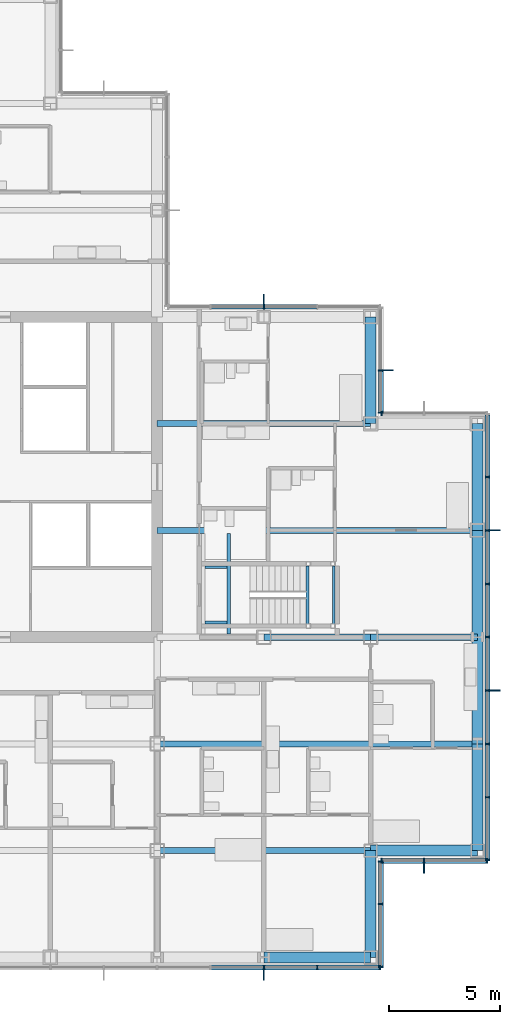
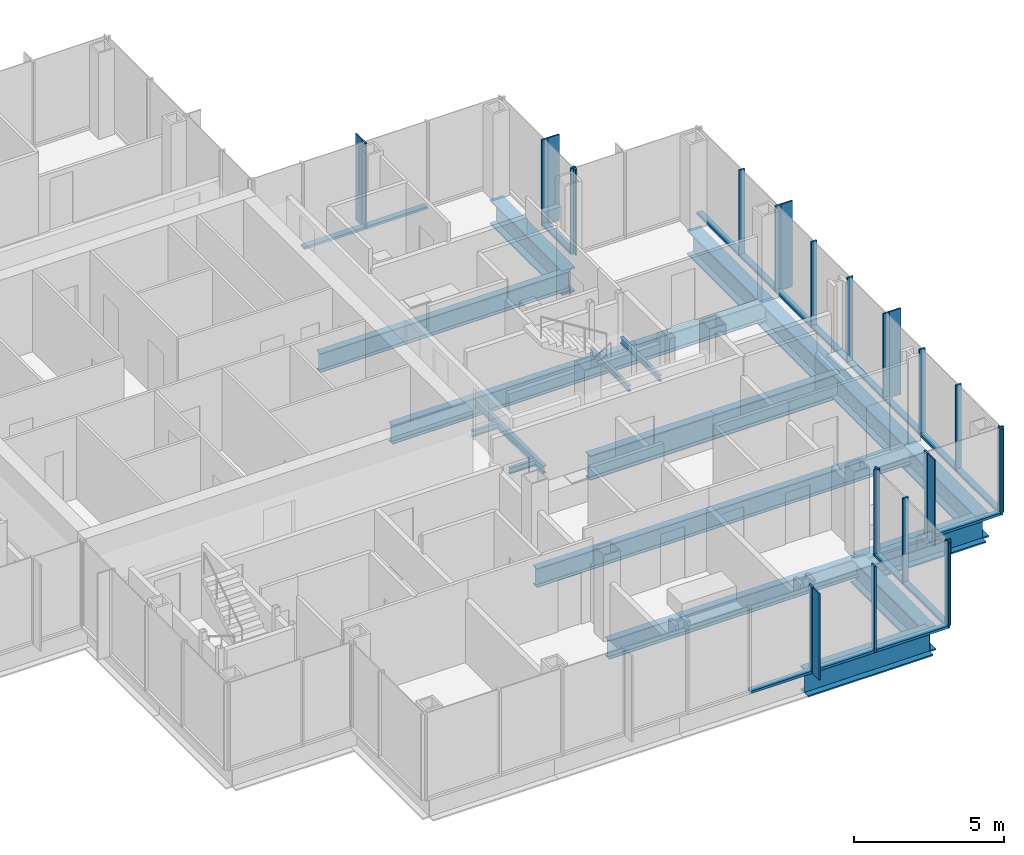
# One storey, part 8 of 20: 45 members, 19 beams, 7 elements without a shape of their own.
"""IFC4 building model written with IfcOpenShell, lengths in metres."""

from ifc_helpers import new_model, si_unit, direction, frame, origin, origin_2d, place, context, subcontext, project, spatial, rectangle, i_section, extrude, material, material_profile, profile_set, type_object, element, aggregate, save


model = new_model("IFC4")

# Units and contexts
model_context = context("Model", 3, precision=1e-05, world=origin(), true_north=direction((0.0, 1.0)))
body_context = subcontext(model_context, "Body", "Model", "MODEL_VIEW")
ifc_project = project(units=[si_unit("LENGTHUNIT", "METRE"), si_unit("AREAUNIT", "SQUARE_METRE"), si_unit("VOLUMEUNIT", "CUBIC_METRE"), si_unit("PLANEANGLEUNIT", "RADIAN"), si_unit("MASSUNIT", "GRAM", prefix="KILO")], contexts=[model_context])

# Site, building, storey
site_placement = place(None, origin())
site = spatial("IfcSite", under=ifc_project, at=site_placement, CompositionType="ELEMENT")
building_placement = place(site_placement, origin())
building = spatial("IfcBuilding", under=site, at=building_placement, Name="Kvirike Care Tower", CompositionType="ELEMENT")
storey_placement = place(building_placement, frame((0.0, 0.0, 105.0)))
storey = spatial("IfcBuildingStorey", under=building, at=storey_placement, Name="L28", CompositionType="ELEMENT", Elevation=105.0)

# Curtain wall, members
ifc_material_1 = material(Name="Anodised aluminium stick system", Category="aluminium")
curtain_wall_type = type_object("IfcCurtainWallType", Name="CW-B STICK CURTAIN WALL", PredefinedType="NOTDEFINED", material=ifc_material_1)
curtain_wall_1_placement = place(storey_placement, origin())
curtain_wall_1 = element("IfcCurtainWall", 1, at=curtain_wall_1_placement, inside=storey, type_object=curtain_wall_type, Name="Curtain wall L28 face 1", PredefinedType="NOTDEFINED")
ifc_material_2 = material(Name="Bronze anodised aluminium fin", Category="aluminium")
ifc_material_profile_1 = material_profile(ifc_material_2, rectangle(XDim=0.050048828125, YDim=0.449951171875, at=origin_2d()), Name="BRONZE FIN 450")
ifc_profile_set_1 = profile_set([ifc_material_profile_1], Name="Bronze anodised aluminium fin")
member_type_1 = type_object("IfcMemberType", Name="BRONZE FIN 450", PredefinedType="USERDEFINED", material=ifc_profile_set_1)
member_1_placement = place(storey_placement, frame((43.9951171875, 26.39990234375, 0.0), z_axis=(0.0, 0.0, 1.0), x_axis=(0.0, 1.0, 0.0)))
member_1 = element("IfcMember", 2, at=member_1_placement, type_object=member_type_1, Name="Bronze fin L28 face 1.4", ObjectType="FIN", PredefinedType="USERDEFINED", context=body_context, shape_type="SweptSolid", body=[
    extrude(rectangle(XDim=0.050048828125, YDim=0.449951171875, at=origin_2d()), origin(), (0.0, 0.0, 1.0), 3.5),
])
member_2_placement = place(storey_placement, frame((43.9951171875, 33.60009765625, 0.0), z_axis=(0.0, 0.0, 1.0), x_axis=(0.0, 1.0, 0.0)))
member_2 = element("IfcMember", 3, at=member_2_placement, type_object=member_type_1, Name="Bronze fin L28 face 1.7", ObjectType="FIN", PredefinedType="USERDEFINED", context=body_context, shape_type="SweptSolid", body=[
    extrude(rectangle(XDim=0.050048828125, YDim=0.449951171875, at=origin_2d()), origin(), (0.0, 0.0, 1.0), 3.5),
])

# Curtain wall, member
curtain_wall_2_placement = place(storey_placement, origin())
curtain_wall_2 = element("IfcCurtainWall", 4, at=curtain_wall_2_placement, inside=storey, type_object=curtain_wall_type, Name="Curtain wall L28 face 3", PredefinedType="NOTDEFINED")
member_3_placement = place(storey_placement, frame((39.195068359375, 40.800048828125, 0.0), z_axis=(0.0, 0.0, 1.0), x_axis=(0.0, 1.0, 0.0)))
member_3 = element("IfcMember", 5, at=member_3_placement, type_object=member_type_1, Name="Bronze fin L28 face 3.2", ObjectType="FIN", PredefinedType="USERDEFINED", context=body_context, shape_type="SweptSolid", body=[
    extrude(rectangle(XDim=0.050048828125, YDim=0.449951171875, at=origin_2d()), origin(), (0.0, 0.0, 1.0), 3.5),
])

curtain_wall_3_placement = place(storey_placement, origin())
curtain_wall_3 = element("IfcCurtainWall", 6, at=curtain_wall_3_placement, inside=storey, type_object=curtain_wall_type, Name="Curtain wall L28 face 4", PredefinedType="NOTDEFINED")
member_4_placement = place(storey_placement, frame((33.60009765625, 43.9951171875, 0.0), z_axis=(0.0, 0.0, 1.0), x_axis=(-1.0, 0.0, 0.0)))
member_4 = element("IfcMember", 7, at=member_4_placement, type_object=member_type_1, Name="Bronze fin L28 face 4.3", ObjectType="FIN", PredefinedType="USERDEFINED", context=body_context, shape_type="SweptSolid", body=[
    extrude(rectangle(XDim=0.050048828125, YDim=0.449951171875, at=origin_2d()), origin(), (0.0, 0.0, 1.0), 3.5),
])

curtain_wall_4_placement = place(storey_placement, origin())
curtain_wall_4 = element("IfcCurtainWall", 8, at=curtain_wall_4_placement, inside=storey, type_object=curtain_wall_type, Name="Curtain wall L28 face 18", PredefinedType="NOTDEFINED")
member_5_placement = place(storey_placement, frame((33.60009765625, 13.60498046875, 0.0), z_axis=(0.0, 0.0, 1.0), x_axis=(1.0, 0.0, 0.0)))
member_5 = element("IfcMember", 9, at=member_5_placement, type_object=member_type_1, Name="Bronze fin L28 face 18.7", ObjectType="FIN", PredefinedType="USERDEFINED", context=body_context, shape_type="SweptSolid", body=[
    extrude(rectangle(XDim=0.050048828125, YDim=0.449951171875, at=origin_2d()), origin(), (0.0, 0.0, 1.0), 3.5),
])

curtain_wall_5_placement = place(storey_placement, origin())
curtain_wall_5 = element("IfcCurtainWall", 10, at=curtain_wall_5_placement, inside=storey, type_object=curtain_wall_type, Name="Curtain wall L28 face 20", PredefinedType="NOTDEFINED")
member_6_placement = place(storey_placement, frame((40.800048828125, 18.405029296875, 0.0), z_axis=(0.0, 0.0, 1.0), x_axis=(1.0, 0.0, 0.0)))
member_6 = element("IfcMember", 11, at=member_6_placement, type_object=member_type_1, Name="Bronze fin L28 face 20.2", ObjectType="FIN", PredefinedType="USERDEFINED", context=body_context, shape_type="SweptSolid", body=[
    extrude(rectangle(XDim=0.050048828125, YDim=0.449951171875, at=origin_2d()), origin(), (0.0, 0.0, 1.0), 3.5),
])

# Member
ifc_material_3 = material(Name="Bronze anodised aluminium mullion", Category="aluminium")
ifc_material_profile_2 = material_profile(ifc_material_3, rectangle(XDim=0.06494140625, YDim=0.219970703125, at=origin_2d()), Name="CW-B MULLION 65x220")
ifc_profile_set_2 = profile_set([ifc_material_profile_2], Name="Bronze anodised aluminium mullion")
member_type_2 = type_object("IfcMemberType", Name="CW-B MULLION 65x220", PredefinedType="MULLION", material=ifc_profile_set_2)
member_7_placement = place(storey_placement, frame((43.659912109375, 18.7724609375, 0.0), z_axis=(0.0, 0.0, 1.0), x_axis=(0.0, 1.0, 0.0)))
member_7 = element("IfcMember", 12, at=member_7_placement, type_object=member_type_2, Name="CW-B mullion L28 face 1.1", PredefinedType="MULLION", context=body_context, shape_type="SweptSolid", body=[
    extrude(rectangle(XDim=0.06494140625, YDim=0.219970703125, at=origin_2d()), origin(), (0.0, 0.0, 1.0), 3.5),
])

member_8_placement = place(storey_placement, frame((43.659912109375, 21.60009765625, 0.0), z_axis=(0.0, 0.0, 1.0), x_axis=(0.0, 1.0, 0.0)))
member_8 = element("IfcMember", 13, at=member_8_placement, type_object=member_type_2, Name="CW-B mullion L28 face 1.2", PredefinedType="MULLION", context=body_context, shape_type="SweptSolid", body=[
    extrude(rectangle(XDim=0.06494140625, YDim=0.219970703125, at=origin_2d()), origin(), (0.0, 0.0, 1.0), 3.5),
])

member_9_placement = place(storey_placement, frame((43.659912109375, 24.0, 0.0), z_axis=(0.0, 0.0, 1.0), x_axis=(0.0, 1.0, 0.0)))
member_9 = element("IfcMember", 14, at=member_9_placement, type_object=member_type_2, Name="CW-B mullion L28 face 1.3", PredefinedType="MULLION", context=body_context, shape_type="SweptSolid", body=[
    extrude(rectangle(XDim=0.06494140625, YDim=0.219970703125, at=origin_2d()), origin(), (0.0, 0.0, 1.0), 3.5),
])

member_10_placement = place(storey_placement, frame((43.659912109375, 26.39990234375, 0.0), z_axis=(0.0, 0.0, 1.0), x_axis=(0.0, 1.0, 0.0)))
member_10 = element("IfcMember", 15, at=member_10_placement, type_object=member_type_2, Name="CW-B mullion L28 face 1.4", PredefinedType="MULLION", context=body_context, shape_type="SweptSolid", body=[
    extrude(rectangle(XDim=0.06494140625, YDim=0.219970703125, at=origin_2d()), origin(), (0.0, 0.0, 1.0), 3.5),
])

member_11_placement = place(storey_placement, frame((43.659912109375, 28.800048828125, 0.0), z_axis=(0.0, 0.0, 1.0), x_axis=(0.0, 1.0, 0.0)))
member_11 = element("IfcMember", 16, at=member_11_placement, type_object=member_type_2, Name="CW-B mullion L28 face 1.5", PredefinedType="MULLION", context=body_context, shape_type="SweptSolid", body=[
    extrude(rectangle(XDim=0.06494140625, YDim=0.219970703125, at=origin_2d()), origin(), (0.0, 0.0, 1.0), 3.5),
])

member_12_placement = place(storey_placement, frame((43.659912109375, 31.199951171875, 0.0), z_axis=(0.0, 0.0, 1.0), x_axis=(0.0, 1.0, 0.0)))
member_12 = element("IfcMember", 17, at=member_12_placement, type_object=member_type_2, Name="CW-B mullion L28 face 1.6", PredefinedType="MULLION", context=body_context, shape_type="SweptSolid", body=[
    extrude(rectangle(XDim=0.06494140625, YDim=0.219970703125, at=origin_2d()), origin(), (0.0, 0.0, 1.0), 3.5),
])

member_13_placement = place(storey_placement, frame((43.659912109375, 33.60009765625, 0.0), z_axis=(0.0, 0.0, 1.0), x_axis=(0.0, 1.0, 0.0)))
member_13 = element("IfcMember", 18, at=member_13_placement, type_object=member_type_2, Name="CW-B mullion L28 face 1.7", PredefinedType="MULLION", context=body_context, shape_type="SweptSolid", body=[
    extrude(rectangle(XDim=0.06494140625, YDim=0.219970703125, at=origin_2d()), origin(), (0.0, 0.0, 1.0), 3.5),
])

member_14_placement = place(storey_placement, frame((43.659912109375, 36.0, 0.0), z_axis=(0.0, 0.0, 1.0), x_axis=(0.0, 1.0, 0.0)))
member_14 = element("IfcMember", 19, at=member_14_placement, type_object=member_type_2, Name="CW-B mullion L28 face 1.8", PredefinedType="MULLION", context=body_context, shape_type="SweptSolid", body=[
    extrude(rectangle(XDim=0.06494140625, YDim=0.219970703125, at=origin_2d()), origin(), (0.0, 0.0, 1.0), 3.5),
])

# Curtain wall, member
curtain_wall_6_placement = place(storey_placement, origin())
curtain_wall_6 = element("IfcCurtainWall", 20, at=curtain_wall_6_placement, inside=storey, type_object=curtain_wall_type, Name="Curtain wall L28 face 2", PredefinedType="NOTDEFINED")
member_15_placement = place(storey_placement, frame((38.892578125, 38.860107421875, 0.0), z_axis=(0.0, 0.0, 1.0), x_axis=(-1.0, 0.0, 0.0)))
member_15 = element("IfcMember", 21, at=member_15_placement, type_object=member_type_2, Name="CW-B mullion L28 face 2.3", PredefinedType="MULLION", context=body_context, shape_type="SweptSolid", body=[
    extrude(rectangle(XDim=0.06494140625, YDim=0.219970703125, at=origin_2d()), origin(), (0.0, 0.0, 1.0), 3.5),
])
aggregate(curtain_wall_6, [member_15])

# Member
member_16_placement = place(storey_placement, frame((38.860107421875, 38.892578125, 0.0), z_axis=(0.0, 0.0, 1.0), x_axis=(0.0, 1.0, 0.0)))
member_16 = element("IfcMember", 22, at=member_16_placement, type_object=member_type_2, Name="CW-B mullion L28 face 3.1", PredefinedType="MULLION", context=body_context, shape_type="SweptSolid", body=[
    extrude(rectangle(XDim=0.06494140625, YDim=0.219970703125, at=origin_2d()), origin(), (0.0, 0.0, 1.0), 3.5),
])

member_17_placement = place(storey_placement, frame((38.860107421875, 40.800048828125, 0.0), z_axis=(0.0, 0.0, 1.0), x_axis=(0.0, 1.0, 0.0)))
member_17 = element("IfcMember", 23, at=member_17_placement, type_object=member_type_2, Name="CW-B mullion L28 face 3.2", PredefinedType="MULLION", context=body_context, shape_type="SweptSolid", body=[
    extrude(rectangle(XDim=0.06494140625, YDim=0.219970703125, at=origin_2d()), origin(), (0.0, 0.0, 1.0), 3.5),
])

member_18_placement = place(storey_placement, frame((33.60009765625, 43.659912109375, 0.0), z_axis=(0.0, 0.0, 1.0), x_axis=(-1.0, 0.0, 0.0)))
member_18 = element("IfcMember", 24, at=member_18_placement, type_object=member_type_2, Name="CW-B mullion L28 face 4.3", PredefinedType="MULLION", context=body_context, shape_type="SweptSolid", body=[
    extrude(rectangle(XDim=0.06494140625, YDim=0.219970703125, at=origin_2d()), origin(), (0.0, 0.0, 1.0), 3.5),
])

member_19_placement = place(storey_placement, frame((33.60009765625, 13.93994140625, 0.0), z_axis=(0.0, 0.0, 1.0), x_axis=(1.0, 0.0, 0.0)))
member_19 = element("IfcMember", 25, at=member_19_placement, type_object=member_type_2, Name="CW-B mullion L28 face 18.7", PredefinedType="MULLION", context=body_context, shape_type="SweptSolid", body=[
    extrude(rectangle(XDim=0.06494140625, YDim=0.219970703125, at=origin_2d()), origin(), (0.0, 0.0, 1.0), 3.5),
])

member_20_placement = place(storey_placement, frame((36.0, 13.93994140625, 0.0), z_axis=(0.0, 0.0, 1.0), x_axis=(1.0, 0.0, 0.0)))
member_20 = element("IfcMember", 26, at=member_20_placement, type_object=member_type_2, Name="CW-B mullion L28 face 18.8", PredefinedType="MULLION", context=body_context, shape_type="SweptSolid", body=[
    extrude(rectangle(XDim=0.06494140625, YDim=0.219970703125, at=origin_2d()), origin(), (0.0, 0.0, 1.0), 3.5),
])

member_21_placement = place(storey_placement, frame((38.827392578125, 13.93994140625, 0.0), z_axis=(0.0, 0.0, 1.0), x_axis=(1.0, 0.0, 0.0)))
member_21 = element("IfcMember", 27, at=member_21_placement, type_object=member_type_2, Name="CW-B mullion L28 face 18.9", PredefinedType="MULLION", context=body_context, shape_type="SweptSolid", body=[
    extrude(rectangle(XDim=0.06494140625, YDim=0.219970703125, at=origin_2d()), origin(), (0.0, 0.0, 1.0), 3.5),
])

# Curtain wall, members
curtain_wall_7_placement = place(storey_placement, origin())
curtain_wall_7 = element("IfcCurtainWall", 28, at=curtain_wall_7_placement, inside=storey, type_object=curtain_wall_type, Name="Curtain wall L28 face 19", PredefinedType="NOTDEFINED")
member_22_placement = place(storey_placement, frame((38.860107421875, 13.972412109375, 0.0), z_axis=(0.0, 0.0, 1.0), x_axis=(0.0, 1.0, 0.0)))
member_22 = element("IfcMember", 29, at=member_22_placement, type_object=member_type_2, Name="CW-B mullion L28 face 19.1", PredefinedType="MULLION", context=body_context, shape_type="SweptSolid", body=[
    extrude(rectangle(XDim=0.06494140625, YDim=0.219970703125, at=origin_2d()), origin(), (0.0, 0.0, 1.0), 3.5),
])
member_23_placement = place(storey_placement, frame((38.860107421875, 16.800048828125, 0.0), z_axis=(0.0, 0.0, 1.0), x_axis=(0.0, 1.0, 0.0)))
member_23 = element("IfcMember", 30, at=member_23_placement, type_object=member_type_2, Name="CW-B mullion L28 face 19.2", PredefinedType="MULLION", context=body_context, shape_type="SweptSolid", body=[
    extrude(rectangle(XDim=0.06494140625, YDim=0.219970703125, at=origin_2d()), origin(), (0.0, 0.0, 1.0), 3.5),
])
member_24_placement = place(storey_placement, frame((38.860107421875, 18.70751953125, 0.0), z_axis=(0.0, 0.0, 1.0), x_axis=(0.0, 1.0, 0.0)))
member_24 = element("IfcMember", 31, at=member_24_placement, type_object=member_type_2, Name="CW-B mullion L28 face 19.3", PredefinedType="MULLION", context=body_context, shape_type="SweptSolid", body=[
    extrude(rectangle(XDim=0.06494140625, YDim=0.219970703125, at=origin_2d()), origin(), (0.0, 0.0, 1.0), 3.5),
])

# Member
member_25_placement = place(storey_placement, frame((38.892578125, 18.739990234375, 0.0), z_axis=(0.0, 0.0, 1.0), x_axis=(1.0, 0.0, 0.0)))
member_25 = element("IfcMember", 32, at=member_25_placement, type_object=member_type_2, Name="CW-B mullion L28 face 20.1", PredefinedType="MULLION", context=body_context, shape_type="SweptSolid", body=[
    extrude(rectangle(XDim=0.06494140625, YDim=0.219970703125, at=origin_2d()), origin(), (0.0, 0.0, 1.0), 3.5),
])

member_26_placement = place(storey_placement, frame((40.800048828125, 18.739990234375, 0.0), z_axis=(0.0, 0.0, 1.0), x_axis=(1.0, 0.0, 0.0)))
member_26 = element("IfcMember", 33, at=member_26_placement, type_object=member_type_2, Name="CW-B mullion L28 face 20.2", PredefinedType="MULLION", context=body_context, shape_type="SweptSolid", body=[
    extrude(rectangle(XDim=0.06494140625, YDim=0.219970703125, at=origin_2d()), origin(), (0.0, 0.0, 1.0), 3.5),
])

member_27_placement = place(storey_placement, frame((43.62744140625, 18.739990234375, 0.0), z_axis=(0.0, 0.0, 1.0), x_axis=(1.0, 0.0, 0.0)))
member_27 = element("IfcMember", 34, at=member_27_placement, type_object=member_type_2, Name="CW-B mullion L28 face 20.3", PredefinedType="MULLION", context=body_context, shape_type="SweptSolid", body=[
    extrude(rectangle(XDim=0.06494140625, YDim=0.219970703125, at=origin_2d()), origin(), (0.0, 0.0, 1.0), 3.5),
])

ifc_material_4 = material(Name="Bronze anodised aluminium transom", Category="aluminium")
ifc_material_profile_3 = material_profile(ifc_material_4, rectangle(XDim=0.219970703125, YDim=0.10009765625, at=origin_2d()), Name="CW-B TRANSOM 220x100")
ifc_profile_set_3 = profile_set([ifc_material_profile_3], Name="Bronze anodised aluminium transom")
member_type_3 = type_object("IfcMemberType", Name="CW-B TRANSOM 220x100", PredefinedType="USERDEFINED", material=ifc_profile_set_3)
member_28_placement = place(storey_placement, frame((43.659912109375, 18.804931640625, 0.050048828125), z_axis=(0.0, 1.0, 0.0), x_axis=(-1.0, 0.0, 0.0)))
member_28 = element("IfcMember", 35, at=member_28_placement, type_object=member_type_3, Name="CW-B sill transom L28 face 1.1", ObjectType="TRANSOM", PredefinedType="USERDEFINED", context=body_context, shape_type="SweptSolid", body=[
    extrude(rectangle(XDim=0.219970703125, YDim=0.10009765625, at=origin_2d()), origin(), (0.0, 0.0, 1.0), 2.762451171875),
])

member_29_placement = place(storey_placement, frame((43.659912109375, 21.632568359375, 0.050048828125), z_axis=(0.0, 1.0, 0.0), x_axis=(-1.0, 0.0, 0.0)))
member_29 = element("IfcMember", 36, at=member_29_placement, type_object=member_type_3, Name="CW-B sill transom L28 face 1.2", ObjectType="TRANSOM", PredefinedType="USERDEFINED", context=body_context, shape_type="SweptSolid", body=[
    extrude(rectangle(XDim=0.219970703125, YDim=0.10009765625, at=origin_2d()), origin(), (0.0, 0.0, 1.0), 2.3349609375),
])

member_30_placement = place(storey_placement, frame((43.659912109375, 24.032470703125, 0.050048828125), z_axis=(0.0, 1.0, 0.0), x_axis=(-1.0, 0.0, 0.0)))
member_30 = element("IfcMember", 37, at=member_30_placement, type_object=member_type_3, Name="CW-B sill transom L28 face 1.3", ObjectType="TRANSOM", PredefinedType="USERDEFINED", context=body_context, shape_type="SweptSolid", body=[
    extrude(rectangle(XDim=0.219970703125, YDim=0.10009765625, at=origin_2d()), origin(), (0.0, 0.0, 1.0), 2.3349609375),
])

member_31_placement = place(storey_placement, frame((43.659912109375, 26.4326171875, 0.050048828125), z_axis=(0.0, 1.0, 0.0), x_axis=(-1.0, 0.0, 0.0)))
member_31 = element("IfcMember", 38, at=member_31_placement, type_object=member_type_3, Name="CW-B sill transom L28 face 1.4", ObjectType="TRANSOM", PredefinedType="USERDEFINED", context=body_context, shape_type="SweptSolid", body=[
    extrude(rectangle(XDim=0.219970703125, YDim=0.10009765625, at=origin_2d()), origin(), (0.0, 0.0, 1.0), 2.3349609375),
])

member_32_placement = place(storey_placement, frame((43.659912109375, 28.83251953125, 0.050048828125), z_axis=(0.0, 1.0, 0.0), x_axis=(-1.0, 0.0, 0.0)))
member_32 = element("IfcMember", 39, at=member_32_placement, type_object=member_type_3, Name="CW-B sill transom L28 face 1.5", ObjectType="TRANSOM", PredefinedType="USERDEFINED", context=body_context, shape_type="SweptSolid", body=[
    extrude(rectangle(XDim=0.219970703125, YDim=0.10009765625, at=origin_2d()), origin(), (0.0, 0.0, 1.0), 2.3349609375),
])

member_33_placement = place(storey_placement, frame((43.659912109375, 31.232421875, 0.050048828125), z_axis=(0.0, 1.0, 0.0), x_axis=(-1.0, 0.0, 0.0)))
member_33 = element("IfcMember", 40, at=member_33_placement, type_object=member_type_3, Name="CW-B sill transom L28 face 1.6", ObjectType="TRANSOM", PredefinedType="USERDEFINED", context=body_context, shape_type="SweptSolid", body=[
    extrude(rectangle(XDim=0.219970703125, YDim=0.10009765625, at=origin_2d()), origin(), (0.0, 0.0, 1.0), 2.3349609375),
])

member_34_placement = place(storey_placement, frame((43.659912109375, 33.632568359375, 0.050048828125), z_axis=(0.0, 1.0, 0.0), x_axis=(-1.0, 0.0, 0.0)))
member_34 = element("IfcMember", 41, at=member_34_placement, type_object=member_type_3, Name="CW-B sill transom L28 face 1.7", ObjectType="TRANSOM", PredefinedType="USERDEFINED", context=body_context, shape_type="SweptSolid", body=[
    extrude(rectangle(XDim=0.219970703125, YDim=0.10009765625, at=origin_2d()), origin(), (0.0, 0.0, 1.0), 2.3349609375),
])

member_35_placement = place(storey_placement, frame((43.659912109375, 36.032470703125, 0.050048828125), z_axis=(0.0, 1.0, 0.0), x_axis=(-1.0, 0.0, 0.0)))
member_35 = element("IfcMember", 42, at=member_35_placement, type_object=member_type_3, Name="CW-B sill transom L28 face 1.8", ObjectType="TRANSOM", PredefinedType="USERDEFINED", context=body_context, shape_type="SweptSolid", body=[
    extrude(rectangle(XDim=0.219970703125, YDim=0.10009765625, at=origin_2d()), origin(), (0.0, 0.0, 1.0), 2.762451171875),
])

aggregate(curtain_wall_1, [member_7, member_8, member_9, member_10, member_1, member_11, member_12, member_13, member_2, member_14, member_28, member_29, member_30, member_31, member_32, member_33, member_34, member_35])

member_36_placement = place(storey_placement, frame((38.860107421875, 38.925048828125, 0.050048828125), z_axis=(0.0, 1.0, 0.0), x_axis=(-1.0, 0.0, 0.0)))
member_36 = element("IfcMember", 43, at=member_36_placement, type_object=member_type_3, Name="CW-B sill transom L28 face 3.1", ObjectType="TRANSOM", PredefinedType="USERDEFINED", context=body_context, shape_type="SweptSolid", body=[
    extrude(rectangle(XDim=0.219970703125, YDim=0.10009765625, at=origin_2d()), origin(), (0.0, 0.0, 1.0), 1.842529296875),
])

aggregate(curtain_wall_2, [member_16, member_17, member_3, member_36])

member_37_placement = place(storey_placement, frame((35.967529296875, 43.659912109375, 0.050048828125), z_axis=(-1.0, 0.0, 0.0), x_axis=(0.0, -1.0, 0.0)))
member_37 = element("IfcMember", 44, at=member_37_placement, type_object=member_type_3, Name="CW-B sill transom L28 face 4.2", ObjectType="TRANSOM", PredefinedType="USERDEFINED", context=body_context, shape_type="SweptSolid", body=[
    extrude(rectangle(XDim=0.219970703125, YDim=0.10009765625, at=origin_2d()), origin(), (0.0, 0.0, 1.0), 2.3349609375),
])

member_38_placement = place(storey_placement, frame((33.5673828125, 43.659912109375, 0.050048828125), z_axis=(-1.0, 0.0, 0.0), x_axis=(0.0, -1.0, 0.0)))
member_38 = element("IfcMember", 45, at=member_38_placement, type_object=member_type_3, Name="CW-B sill transom L28 face 4.3", ObjectType="TRANSOM", PredefinedType="USERDEFINED", context=body_context, shape_type="SweptSolid", body=[
    extrude(rectangle(XDim=0.219970703125, YDim=0.10009765625, at=origin_2d()), origin(), (0.0, 0.0, 1.0), 2.3349609375),
])

aggregate(curtain_wall_3, [member_18, member_4, member_37, member_38])

member_39_placement = place(storey_placement, frame((31.232421875, 13.93994140625, 0.050048828125), z_axis=(1.0, 0.0, 0.0), x_axis=(0.0, 1.0, 0.0)))
member_39 = element("IfcMember", 46, at=member_39_placement, type_object=member_type_3, Name="CW-B sill transom L28 face 18.6", ObjectType="TRANSOM", PredefinedType="USERDEFINED", context=body_context, shape_type="SweptSolid", body=[
    extrude(rectangle(XDim=0.219970703125, YDim=0.10009765625, at=origin_2d()), origin(), (0.0, 0.0, 1.0), 2.3349609375),
])

member_40_placement = place(storey_placement, frame((33.632568359375, 13.93994140625, 0.050048828125), z_axis=(1.0, 0.0, 0.0), x_axis=(0.0, 1.0, 0.0)))
member_40 = element("IfcMember", 47, at=member_40_placement, type_object=member_type_3, Name="CW-B sill transom L28 face 18.7", ObjectType="TRANSOM", PredefinedType="USERDEFINED", context=body_context, shape_type="SweptSolid", body=[
    extrude(rectangle(XDim=0.219970703125, YDim=0.10009765625, at=origin_2d()), origin(), (0.0, 0.0, 1.0), 2.3349609375),
])

member_41_placement = place(storey_placement, frame((36.032470703125, 13.93994140625, 0.050048828125), z_axis=(1.0, 0.0, 0.0), x_axis=(0.0, 1.0, 0.0)))
member_41 = element("IfcMember", 48, at=member_41_placement, type_object=member_type_3, Name="CW-B sill transom L28 face 18.8", ObjectType="TRANSOM", PredefinedType="USERDEFINED", context=body_context, shape_type="SweptSolid", body=[
    extrude(rectangle(XDim=0.219970703125, YDim=0.10009765625, at=origin_2d()), origin(), (0.0, 0.0, 1.0), 2.762451171875),
])

aggregate(curtain_wall_4, [member_19, member_5, member_20, member_21, member_39, member_40, member_41])

member_42_placement = place(storey_placement, frame((38.860107421875, 14.0048828125, 0.050048828125), z_axis=(0.0, 1.0, 0.0), x_axis=(-1.0, 0.0, 0.0)))
member_42 = element("IfcMember", 49, at=member_42_placement, type_object=member_type_3, Name="CW-B sill transom L28 face 19.1", ObjectType="TRANSOM", PredefinedType="USERDEFINED", context=body_context, shape_type="SweptSolid", body=[
    extrude(rectangle(XDim=0.219970703125, YDim=0.10009765625, at=origin_2d()), origin(), (0.0, 0.0, 1.0), 2.7626953125),
])

member_43_placement = place(storey_placement, frame((38.860107421875, 16.83251953125, 0.050048828125), z_axis=(0.0, 1.0, 0.0), x_axis=(-1.0, 0.0, 0.0)))
member_43 = element("IfcMember", 50, at=member_43_placement, type_object=member_type_3, Name="CW-B sill transom L28 face 19.2", ObjectType="TRANSOM", PredefinedType="USERDEFINED", context=body_context, shape_type="SweptSolid", body=[
    extrude(rectangle(XDim=0.219970703125, YDim=0.10009765625, at=origin_2d()), origin(), (0.0, 0.0, 1.0), 1.842529296875),
])

aggregate(curtain_wall_7, [member_22, member_23, member_24, member_42, member_43])

member_44_placement = place(storey_placement, frame((38.925048828125, 18.739990234375, 0.050048828125), z_axis=(1.0, 0.0, 0.0), x_axis=(0.0, 1.0, 0.0)))
member_44 = element("IfcMember", 51, at=member_44_placement, type_object=member_type_3, Name="CW-B sill transom L28 face 20.1", ObjectType="TRANSOM", PredefinedType="USERDEFINED", context=body_context, shape_type="SweptSolid", body=[
    extrude(rectangle(XDim=0.219970703125, YDim=0.10009765625, at=origin_2d()), origin(), (0.0, 0.0, 1.0), 1.842529296875),
])

member_45_placement = place(storey_placement, frame((40.83251953125, 18.739990234375, 0.050048828125), z_axis=(1.0, 0.0, 0.0), x_axis=(0.0, 1.0, 0.0)))
member_45 = element("IfcMember", 52, at=member_45_placement, type_object=member_type_3, Name="CW-B sill transom L28 face 20.2", ObjectType="TRANSOM", PredefinedType="USERDEFINED", context=body_context, shape_type="SweptSolid", body=[
    extrude(rectangle(XDim=0.219970703125, YDim=0.10009765625, at=origin_2d()), origin(), (0.0, 0.0, 1.0), 2.762451171875),
])

aggregate(curtain_wall_5, [member_25, member_26, member_6, member_27, member_44, member_45])

# Beams
ifc_material_5 = material(Name="Steel S355", Category="steel")
ifc_material_profile_4 = material_profile(ifc_material_5, i_section(OverallWidth=0.26806640625, OverallDepth=0.77001953125, WebThickness=0.015625, FlangeThickness=0.025390625, FilletRadius=0.01708984375, at=origin_2d()), Name="IPE 750x196")
ifc_profile_set_4 = profile_set([ifc_material_profile_4], Name="Steel S355")
beam_type_1 = type_object("IfcBeamType", Name="FLOOR BEAM IPE 750x196", PredefinedType="BEAM", material=ifc_profile_set_4)
beam_1_placement = place(storey_placement, frame((28.800048828125, 19.199951171875, -0.554931640625), z_axis=(1.0, 0.0, 0.0), x_axis=(0.0, 1.0, 0.0)))
element("IfcBeam", 53, at=beam_1_placement, inside=storey, type_object=beam_type_1, Name="Floor Beam E9-E11 L28", PredefinedType="BEAM", context=body_context, shape_type="SweptSolid", body=[
    extrude(i_section(OverallWidth=0.26806640625, OverallDepth=0.77001953125, WebThickness=0.015625, FlangeThickness=0.025390625, FilletRadius=0.01708984375, at=origin_2d()), origin(), (0.0, 0.0, 1.0), 9.599853515625),
])
for number, where, z_axis, x_axis, name in (
    (54, (28.800048828125, 24.0, -0.554931640625), (1.0, 0.0, 0.0), (0.0, 1.0, 0.0), "Floor Beam F9-F12 L28"),
    (55, (28.800048828125, 33.60009765625, -0.554931640625), (1.0, 0.0, 0.0), (0.0, 1.0, 0.0), "Floor Beam H9-H12 L28"),
):
    element("IfcBeam", number, at=place(storey_placement, frame(where, z_axis=z_axis, x_axis=x_axis)), inside=storey, type_object=beam_type_1, Name=name, PredefinedType="BEAM", context=body_context, shape_type="SweptSolid", body=[
        extrude(i_section(OverallWidth=0.26806640625, OverallDepth=0.77001953125, WebThickness=0.015625, FlangeThickness=0.025390625, FilletRadius=0.01708984375, at=origin_2d()), origin(), (0.0, 0.0, 1.0), 14.39990234375),
    ])
beam_2_placement = place(storey_placement, frame((28.800048828125, 38.39990234375, -0.554931640625), z_axis=(1.0, 0.0, 0.0), x_axis=(0.0, 1.0, 0.0)))
element("IfcBeam", 56, at=beam_2_placement, inside=storey, type_object=beam_type_1, Name="Floor Beam J9-J11 L28", PredefinedType="BEAM", context=body_context, shape_type="SweptSolid", body=[
    extrude(i_section(OverallWidth=0.26806640625, OverallDepth=0.77001953125, WebThickness=0.015625, FlangeThickness=0.025390625, FilletRadius=0.01708984375, at=origin_2d()), origin(), (0.0, 0.0, 1.0), 9.599853515625),
])
ifc_material_6 = material(Name="Steel S355", Category="steel")
ifc_material_profile_5 = material_profile(ifc_material_6, i_section(OverallWidth=0.300048828125, OverallDepth=1.0, WebThickness=0.01904296875, FlangeThickness=0.035888671875, FilletRadius=0.030029296875, at=origin_2d()), Name="HE 1000 B")
ifc_profile_set_5 = profile_set([ifc_material_profile_5], Name="Steel S355")
beam_type_2 = type_object("IfcBeamType", Name="FRAME BEAM HE 1000 B", PredefinedType="BEAM", material=ifc_profile_set_5)
beam_3_placement = place(storey_placement, frame((33.60009765625, 28.800048828125, -0.669921875), z_axis=(1.0, 0.0, 0.0), x_axis=(0.0, 1.0, 0.0)))
element("IfcBeam", 57, at=beam_3_placement, inside=storey, type_object=beam_type_2, Name="Frame Beam G10-G11 L28", PredefinedType="BEAM", context=body_context, shape_type="SweptSolid", body=[
    extrude(i_section(OverallWidth=0.300048828125, OverallDepth=1.0, WebThickness=0.01904296875, FlangeThickness=0.035888671875, FilletRadius=0.030029296875, at=origin_2d()), origin(), (0.0, 0.0, 1.0), 4.7998046875),
])
beam_4_placement = place(storey_placement, frame((38.39990234375, 28.800048828125, -0.669921875), z_axis=(1.0, 0.0, 0.0), x_axis=(0.0, 1.0, 0.0)))
element("IfcBeam", 58, at=beam_4_placement, inside=storey, type_object=beam_type_2, Name="Frame Beam G11-G12 L28", PredefinedType="BEAM", context=body_context, shape_type="SweptSolid", body=[
    extrude(i_section(OverallWidth=0.300048828125, OverallDepth=1.0, WebThickness=0.01904296875, FlangeThickness=0.035888671875, FilletRadius=0.030029296875, at=origin_2d()), origin(), (0.0, 0.0, 1.0), 4.800048828125),
])
ifc_material_7 = material(Name="Steel S355", Category="steel")
ifc_material_profile_6 = material_profile(ifc_material_7, i_section(OverallWidth=0.5, OverallDepth=1.0, WebThickness=0.030029296875, FlangeThickness=0.06005859375, at=origin_2d()), Name="PG 1000x500x30x60")
ifc_profile_set_6 = profile_set([ifc_material_profile_6], Name="Steel S355")
beam_type_3 = type_object("IfcBeamType", Name="SPANDREL PG 1000x500x30x60", PredefinedType="SPANDREL", material=ifc_profile_set_6)
beam_5_placement = place(storey_placement, frame((33.60009765625, 14.39990234375, -0.669921875), z_axis=(1.0, 0.0, 0.0), x_axis=(0.0, 1.0, 0.0)))
element("IfcBeam", 59, at=beam_5_placement, inside=storey, type_object=beam_type_3, Name="Spandrel D10-D11 L28", PredefinedType="SPANDREL", context=body_context, shape_type="SweptSolid", body=[
    extrude(i_section(OverallWidth=0.5, OverallDepth=1.0, WebThickness=0.030029296875, FlangeThickness=0.06005859375, at=origin_2d()), origin(), (0.0, 0.0, 1.0), 4.7998046875),
])
for number, where, z_axis, x_axis, name in (
    (60, (38.39990234375, 19.199951171875, -0.669921875), (1.0, 0.0, 0.0), (0.0, 1.0, 0.0), "Spandrel E11-E12 L28"),
    (61, (38.39990234375, 14.39990234375, -0.669921875), (0.0, 1.0, 0.0), (-1.0, 0.0, 0.0), "Spandrel D11-E11 L28"),
    (62, (38.39990234375, 38.39990234375, -0.669921875), (0.0, 1.0, 0.0), (-1.0, 0.0, 0.0), "Spandrel J11-K11 L28"),
    (63, (43.199951171875, 19.199951171875, -0.669921875), (0.0, 1.0, 0.0), (-1.0, 0.0, 0.0), "Spandrel E12-F12 L28"),
    (64, (43.199951171875, 24.0, -0.669921875), (0.0, 1.0, 0.0), (-1.0, 0.0, 0.0), "Spandrel F12-G12 L28"),
    (65, (43.199951171875, 28.800048828125, -0.669921875), (0.0, 1.0, 0.0), (-1.0, 0.0, 0.0), "Spandrel G12-H12 L28"),
):
    element("IfcBeam", number, at=place(storey_placement, frame(where, z_axis=z_axis, x_axis=x_axis)), inside=storey, type_object=beam_type_3, Name=name, PredefinedType="SPANDREL", context=body_context, shape_type="SweptSolid", body=[
        extrude(i_section(OverallWidth=0.5, OverallDepth=1.0, WebThickness=0.030029296875, FlangeThickness=0.06005859375, at=origin_2d()), origin(), (0.0, 0.0, 1.0), 4.800048828125),
    ])
beam_6_placement = place(storey_placement, frame((43.199951171875, 33.60009765625, -0.669921875), z_axis=(0.0, 1.0, 0.0), x_axis=(-1.0, 0.0, 0.0)))
element("IfcBeam", 66, at=beam_6_placement, inside=storey, type_object=beam_type_3, Name="Spandrel H12-J12 L28", PredefinedType="SPANDREL", context=body_context, shape_type="SweptSolid", body=[
    extrude(i_section(OverallWidth=0.5, OverallDepth=1.0, WebThickness=0.030029296875, FlangeThickness=0.06005859375, at=origin_2d()), origin(), (0.0, 0.0, 1.0), 4.7998046875),
])
ifc_material_8 = material(Name="Steel S355", Category="steel")
ifc_material_profile_7 = material_profile(ifc_material_8, i_section(OverallWidth=0.1201171875, OverallDepth=0.239990234375, WebThickness=0.006103515625, FlangeThickness=0.009765625, FilletRadius=0.014892578125, at=origin_2d()), Name="IPE 240")
ifc_profile_set_7 = profile_set([ifc_material_profile_7], Name="Steel S355")
beam_type_4 = type_object("IfcBeamType", Name="STAIR LANDING BEAM IPE 240", PredefinedType="BEAM", material=ifc_profile_set_7)
for number, where, z_axis, x_axis, name in (
    (67, (36.739990234375, 29.39990234375, 1.429931640625), (0.0, 1.0, 0.0), (-1.0, 0.0, 0.0), "Stair 2 landing beam back L28"),
    (68, (35.56005859375, 29.39990234375, 1.429931640625), (0.0, 1.0, 0.0), (-1.0, 0.0, 0.0), "Stair 2 landing beam front L28"),
):
    element("IfcBeam", number, at=place(storey_placement, frame(where, z_axis=z_axis, x_axis=x_axis)), inside=storey, type_object=beam_type_4, Name=name, PredefinedType="BEAM", context=body_context, shape_type="SweptSolid", body=[
        extrude(i_section(OverallWidth=0.1201171875, OverallDepth=0.239990234375, WebThickness=0.006103515625, FlangeThickness=0.009765625, FilletRadius=0.014892578125, at=origin_2d()), origin(), (0.0, 0.0, 1.0), 2.60009765625),
    ])
for number, where, z_axis, x_axis, name in (
    (69, (31.949951171875, 29.4599609375, -0.320068359375), (-1.0, 0.0, 0.0), (0.0, -1.0, 0.0), "Stair 2 landing edge beam 1 L28"),
    (70, (31.949951171875, 31.93994140625, -0.320068359375), (-1.0, 0.0, 0.0), (0.0, -1.0, 0.0), "Stair 2 landing edge beam 2 L28"),
):
    element("IfcBeam", number, at=place(storey_placement, frame(where, z_axis=z_axis, x_axis=x_axis)), inside=storey, type_object=beam_type_4, Name=name, PredefinedType="BEAM", context=body_context, shape_type="SweptSolid", body=[
        extrude(i_section(OverallWidth=0.1201171875, OverallDepth=0.239990234375, WebThickness=0.006103515625, FlangeThickness=0.009765625, FilletRadius=0.014892578125, at=origin_2d()), origin(), (0.0, 0.0, 1.0), 1.0),
    ])
ifc_material_9 = material(Name="Steel S355", Category="steel")
ifc_material_profile_8 = material_profile(ifc_material_9, i_section(OverallWidth=0.14990234375, OverallDepth=0.300048828125, WebThickness=0.007080078125, FlangeThickness=0.0107421875, FilletRadius=0.014892578125, at=origin_2d()), Name="IPE 300")
ifc_profile_set_8 = profile_set([ifc_material_profile_8], Name="Steel S355")
beam_type_5 = type_object("IfcBeamType", Name="STAIR TRIMMER IPE 300", PredefinedType="BEAM", material=ifc_profile_set_8)
beam_7_placement = place(storey_placement, frame((32.02490234375, 28.949951171875, -0.35009765625), z_axis=(0.0, 1.0, 0.0), x_axis=(-1.0, 0.0, 0.0)))
element("IfcBeam", 71, at=beam_7_placement, inside=storey, type_object=beam_type_5, Name="Stair 2 trimmer 1 L28", PredefinedType="BEAM", context=body_context, shape_type="SweptSolid", body=[
    extrude(i_section(OverallWidth=0.14990234375, OverallDepth=0.300048828125, WebThickness=0.007080078125, FlangeThickness=0.0107421875, FilletRadius=0.014892578125, at=origin_2d()), origin(), (0.0, 0.0, 1.0), 4.51611328125),
])

save(model, "model.ifc")
